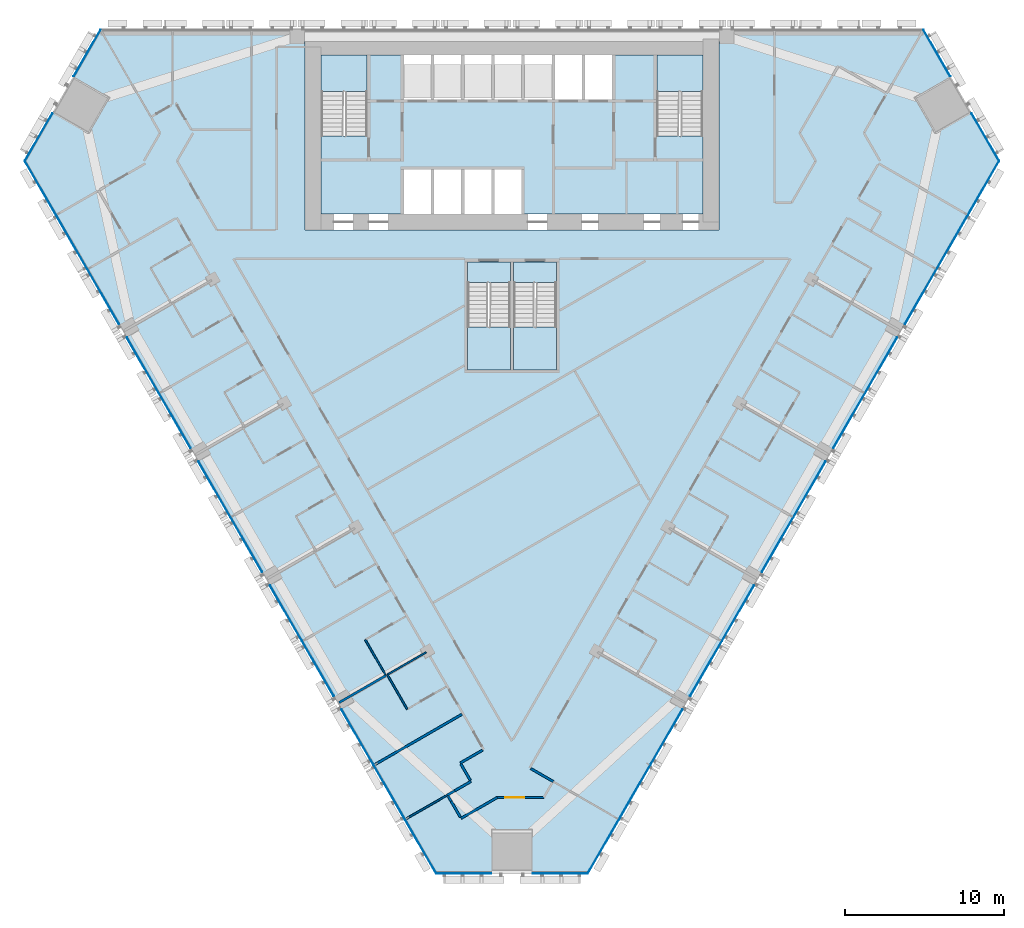
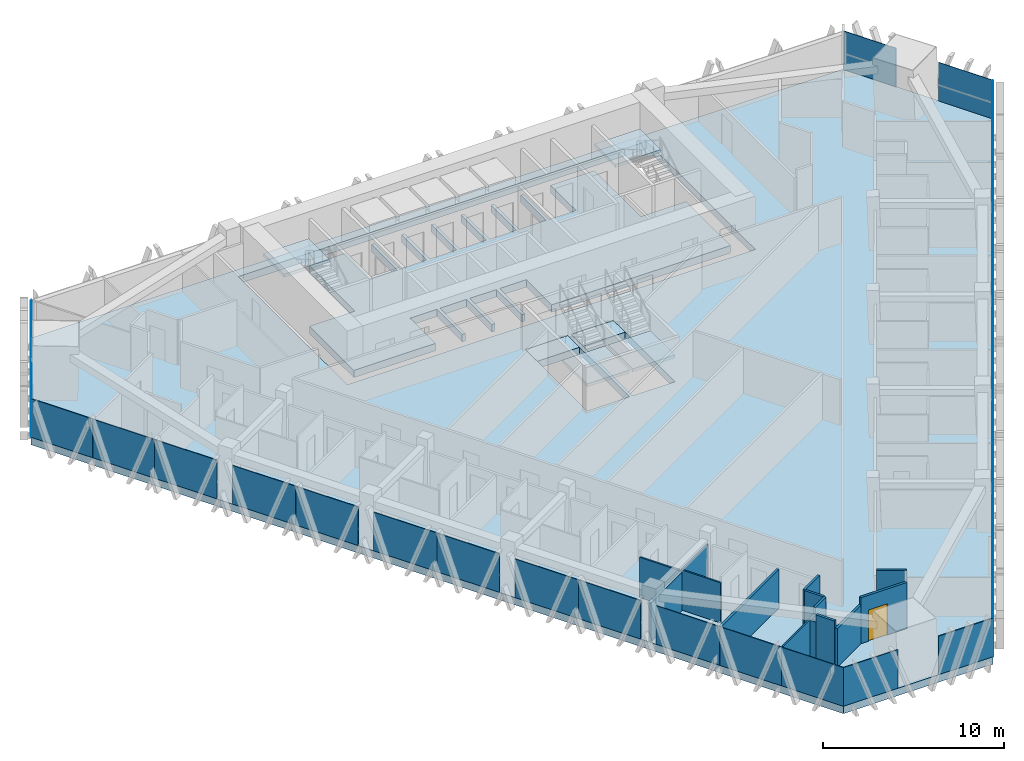
# One storey, part 9 of 18: 30 plates, 15 walls, 8 slabs, 1 door, 1 opening, 9 elements without a shape of their own.
"""IFC4 building model written with IfcOpenShell, lengths in metres."""

from ifc_helpers import new_model, si_unit, direction, frame, frame_2d, origin, origin_2d, place, context, subcontext, project, spatial, polyline, rectangle, outline, extrude, material, layer, layer_set, type_object, element, fill, aggregate, save


model = new_model("IFC4")

# Units and contexts
model_context = context("Model", 3, precision=1e-05, world=origin(), true_north=direction((0.0, 1.0)))
body_context = subcontext(model_context, "Body", "Model", "MODEL_VIEW")
ifc_project = project(units=[si_unit("LENGTHUNIT", "METRE"), si_unit("AREAUNIT", "SQUARE_METRE"), si_unit("VOLUMEUNIT", "CUBIC_METRE"), si_unit("PLANEANGLEUNIT", "RADIAN"), si_unit("MASSUNIT", "GRAM", prefix="KILO")], contexts=[model_context])

# Site, building, storey
site_placement = place(None, origin())
site = spatial("IfcSite", under=ifc_project, at=site_placement, CompositionType="ELEMENT")
building_placement = place(site_placement, origin())
building = spatial("IfcBuilding", under=site, at=building_placement, Name="Altiplano Prism Tower", CompositionType="ELEMENT")
storey_placement = place(building_placement, frame((0.0, 0.0, 48.60009765625)))
storey = spatial("IfcBuildingStorey", under=building, at=storey_placement, Name="L11", CompositionType="ELEMENT", Elevation=48.60009765625)

# Curtain wall, plates
ifc_material_1 = material(Name="Aluminium and glass", Category="aluminium")
ifc_layer_1 = layer(ifc_material_1, 0.280029296875)
ifc_layer_set_1 = layer_set([ifc_layer_1], Name="Aluminium and glass")
curtain_wall_type = type_object("IfcCurtainWallType", Name="CW1 typical co-living unitised curtain wall", PredefinedType="NOTDEFINED", material=ifc_layer_set_1)
curtain_wall_1_placement = place(storey_placement, origin())
curtain_wall_1 = element("IfcCurtainWall", 1, at=curtain_wall_1_placement, inside=storey, type_object=curtain_wall_type, Name="CW1 curtain wall north-west chamfer L11", PredefinedType="NOTDEFINED")
ifc_material_2 = material(Name="Clear glass", Category="glass")
ifc_layer_2 = layer(ifc_material_2, 0.0400390625)
ifc_layer_set_2 = layer_set([ifc_layer_2], Name="Clear glass")
plate_type = type_object("IfcPlateType", Name="CW1 insulated glass unit 40", PredefinedType="CURTAIN_PANEL", material=ifc_layer_set_2)
plate_1_placement = place(storey_placement, frame((58.294921875, 103.5224609375, -0.000244140625), z_axis=(0.0, 0.0, 1.0), x_axis=(-0.499999929806, -0.866025444311, 0.0)))
plate_1 = element("IfcPlate", 2, at=plate_1_placement, type_object=plate_type, Name="CW1 panel", PredefinedType="CURTAIN_PANEL", context=body_context, shape_type="SweptSolid", body=[
    extrude(rectangle(XDim=3.379150390625, YDim=0.0400390625, at=origin_2d()), origin(), (0.0, 0.0, 1.0), 2.60009765625),
])
plate_2_placement = place(storey_placement, frame((55.240478515625, 98.23193359375, -0.000244140625), z_axis=(0.0, 0.0, 1.0), x_axis=(-0.499999929806, -0.866025444311, 0.0)))
plate_2 = element("IfcPlate", 3, at=plate_2_placement, type_object=plate_type, Name="CW1 panel", PredefinedType="CURTAIN_PANEL", context=body_context, shape_type="SweptSolid", body=[
    extrude(rectangle(XDim=3.459228515625, YDim=0.0400390625, at=origin_2d()), origin(), (0.0, 0.0, 1.0), 2.60009765625),
])
aggregate(curtain_wall_1, [plate_1, plate_2])

curtain_wall_2_placement = place(storey_placement, origin())
curtain_wall_2 = element("IfcCurtainWall", 4, at=curtain_wall_2_placement, inside=storey, type_object=curtain_wall_type, Name="CW1 curtain wall south-west face L11", PredefinedType="NOTDEFINED")
plate_3_placement = place(storey_placement, frame((55.357666015625, 95.044677734375, -0.000244140625), z_axis=(0.0, 0.0, 1.0), x_axis=(0.499999989102, -0.866025410076, 0.0)))
plate_3 = element("IfcPlate", 5, at=plate_3_placement, type_object=plate_type, Name="CW1 panel", PredefinedType="CURTAIN_PANEL", context=body_context, shape_type="SweptSolid", body=[
    extrude(rectangle(XDim=3.927490234375, YDim=0.0400390625, at=origin_2d()), origin(), (0.0, 0.0, 1.0), 2.60009765625),
])
plate_4_placement = place(storey_placement, frame((57.326416015625, 91.634765625, -0.000244140625), z_axis=(0.0, 0.0, 1.0), x_axis=(0.499999989102, -0.866025410076, 0.0)))
plate_4 = element("IfcPlate", 6, at=plate_4_placement, type_object=plate_type, Name="CW1 panel", PredefinedType="CURTAIN_PANEL", context=body_context, shape_type="SweptSolid", body=[
    extrude(rectangle(XDim=3.927490234375, YDim=0.0400390625, at=origin_2d()), origin(), (0.0, 0.0, 1.0), 2.60009765625),
])
plate_5_placement = place(storey_placement, frame((59.303466796875, 88.21044921875, -0.000244140625), z_axis=(0.0, 0.0, 1.0), x_axis=(0.499999989102, -0.866025410076, 0.0)))
plate_5 = element("IfcPlate", 7, at=plate_5_placement, type_object=plate_type, Name="CW1 panel", PredefinedType="CURTAIN_PANEL", context=body_context, shape_type="SweptSolid", body=[
    extrude(rectangle(XDim=3.96044921875, YDim=0.0400390625, at=origin_2d()), origin(), (0.0, 0.0, 1.0), 2.60009765625),
])
plate_6_placement = place(storey_placement, frame((61.79833984375, 83.888916015625, -0.000244140625), z_axis=(0.0, 0.0, 1.0), x_axis=(0.499999989102, -0.866025410076, 0.0)))
plate_6 = element("IfcPlate", 8, at=plate_6_placement, type_object=plate_type, Name="CW1 panel", PredefinedType="CURTAIN_PANEL", context=body_context, shape_type="SweptSolid", body=[
    extrude(rectangle(XDim=4.039306640625, YDim=0.0400390625, at=origin_2d()), origin(), (0.0, 0.0, 1.0), 2.60009765625),
])
plate_7_placement = place(storey_placement, frame((63.803466796875, 80.416259765625, -0.000244140625), z_axis=(0.0, 0.0, 1.0), x_axis=(0.499999989102, -0.866025410076, 0.0)))
plate_7 = element("IfcPlate", 9, at=plate_7_placement, type_object=plate_type, Name="CW1 panel", PredefinedType="CURTAIN_PANEL", context=body_context, shape_type="SweptSolid", body=[
    extrude(rectangle(XDim=3.96044921875, YDim=0.0400390625, at=origin_2d()), origin(), (0.0, 0.0, 1.0), 2.60009765625),
])
plate_8_placement = place(storey_placement, frame((66.29833984375, 76.0947265625, -0.000244140625), z_axis=(0.0, 0.0, 1.0), x_axis=(0.499999989102, -0.866025410076, 0.0)))
plate_8 = element("IfcPlate", 10, at=plate_8_placement, type_object=plate_type, Name="CW1 panel", PredefinedType="CURTAIN_PANEL", context=body_context, shape_type="SweptSolid", body=[
    extrude(rectangle(XDim=4.039306640625, YDim=0.0400390625, at=origin_2d()), origin(), (0.0, 0.0, 1.0), 2.60009765625),
])
plate_9_placement = place(storey_placement, frame((68.303466796875, 72.6220703125, -0.000244140625), z_axis=(0.0, 0.0, 1.0), x_axis=(0.499999989102, -0.866025410076, 0.0)))
plate_9 = element("IfcPlate", 11, at=plate_9_placement, type_object=plate_type, Name="CW1 panel", PredefinedType="CURTAIN_PANEL", context=body_context, shape_type="SweptSolid", body=[
    extrude(rectangle(XDim=3.96044921875, YDim=0.0400390625, at=origin_2d()), origin(), (0.0, 0.0, 1.0), 2.60009765625),
])
plate_10_placement = place(storey_placement, frame((70.79833984375, 68.300537109375, -0.000244140625), z_axis=(0.0, 0.0, 1.0), x_axis=(0.499999989102, -0.866025410076, 0.0)))
plate_10 = element("IfcPlate", 12, at=plate_10_placement, type_object=plate_type, Name="CW1 panel", PredefinedType="CURTAIN_PANEL", context=body_context, shape_type="SweptSolid", body=[
    extrude(rectangle(XDim=4.039306640625, YDim=0.0400390625, at=origin_2d()), origin(), (0.0, 0.0, 1.0), 2.60009765625),
])
plate_11_placement = place(storey_placement, frame((72.803466796875, 64.82763671875, -0.000244140625), z_axis=(0.0, 0.0, 1.0), x_axis=(0.499999989102, -0.866025410076, 0.0)))
plate_11 = element("IfcPlate", 13, at=plate_11_placement, type_object=plate_type, Name="CW1 panel", PredefinedType="CURTAIN_PANEL", context=body_context, shape_type="SweptSolid", body=[
    extrude(rectangle(XDim=3.96044921875, YDim=0.0400390625, at=origin_2d()), origin(), (0.0, 0.0, 1.0), 2.60009765625),
])
plate_12_placement = place(storey_placement, frame((75.29833984375, 60.506103515625, -0.000244140625), z_axis=(0.0, 0.0, 1.0), x_axis=(0.499999989102, -0.866025410076, 0.0)))
plate_12 = element("IfcPlate", 14, at=plate_12_placement, type_object=plate_type, Name="CW1 panel", PredefinedType="CURTAIN_PANEL", context=body_context, shape_type="SweptSolid", body=[
    extrude(rectangle(XDim=4.039306640625, YDim=0.0400390625, at=origin_2d()), origin(), (0.0, 0.0, 1.0), 2.60009765625),
])
plate_13_placement = place(storey_placement, frame((77.295166015625, 57.0478515625, -0.000244140625), z_axis=(0.0, 0.0, 1.0), x_axis=(0.499999989102, -0.866025410076, 0.0)))
plate_13 = element("IfcPlate", 15, at=plate_13_placement, type_object=plate_type, Name="CW1 panel", PredefinedType="CURTAIN_PANEL", context=body_context, shape_type="SweptSolid", body=[
    extrude(rectangle(XDim=3.927490234375, YDim=0.0400390625, at=origin_2d()), origin(), (0.0, 0.0, 1.0), 2.60009765625),
])
plate_14_placement = place(storey_placement, frame((79.263916015625, 53.637939453125, -0.000244140625), z_axis=(0.0, 0.0, 1.0), x_axis=(0.499999989102, -0.866025410076, 0.0)))
plate_14 = element("IfcPlate", 16, at=plate_14_placement, type_object=plate_type, Name="CW1 panel", PredefinedType="CURTAIN_PANEL", context=body_context, shape_type="SweptSolid", body=[
    extrude(rectangle(XDim=3.927490234375, YDim=0.0400390625, at=origin_2d()), origin(), (0.0, 0.0, 1.0), 2.60009765625),
])
aggregate(curtain_wall_2, [plate_3, plate_4, plate_5, plate_6, plate_7, plate_8, plate_9, plate_10, plate_11, plate_12, plate_13, plate_14])

curtain_wall_3_placement = place(storey_placement, origin())
curtain_wall_3 = element("IfcCurtainWall", 17, at=curtain_wall_3_placement, inside=storey, type_object=curtain_wall_type, Name="CW1 curtain wall south chamfer L11", PredefinedType="NOTDEFINED")
plate_15_placement = place(storey_placement, frame((81.965576171875, 51.94287109375, -0.000244140625), z_axis=(0.0, 0.0, 1.0), x_axis=(1.0, 0.0, 0.0)))
plate_15 = element("IfcPlate", 18, at=plate_15_placement, type_object=plate_type, Name="CW1 panel", PredefinedType="CURTAIN_PANEL", context=body_context, shape_type="SweptSolid", body=[
    extrude(rectangle(XDim=3.458984375, YDim=0.0400390625, at=origin_2d()), origin(), (0.0, 0.0, 1.0), 2.60009765625),
])
plate_16_placement = place(storey_placement, frame((88.034423828125, 51.94287109375, -0.000244140625), z_axis=(0.0, 0.0, 1.0), x_axis=(1.0, 0.0, 0.0)))
plate_16 = element("IfcPlate", 19, at=plate_16_placement, type_object=plate_type, Name="CW1 panel", PredefinedType="CURTAIN_PANEL", context=body_context, shape_type="SweptSolid", body=[
    extrude(rectangle(XDim=3.458984375, YDim=0.0400390625, at=origin_2d()), origin(), (0.0, 0.0, 1.0), 2.60009765625),
])
aggregate(curtain_wall_3, [plate_15, plate_16])

curtain_wall_4_placement = place(storey_placement, origin())
curtain_wall_4 = element("IfcCurtainWall", 20, at=curtain_wall_4_placement, inside=storey, type_object=curtain_wall_type, Name="CW1 curtain wall south-east face L11", PredefinedType="NOTDEFINED")
plate_17_placement = place(storey_placement, frame((90.736083984375, 53.637939453125, -0.000244140625), z_axis=(0.0, 0.0, 1.0), x_axis=(0.499999989102, 0.866025410076, 0.0)))
plate_17 = element("IfcPlate", 21, at=plate_17_placement, type_object=plate_type, Name="CW1 panel", PredefinedType="CURTAIN_PANEL", context=body_context, shape_type="SweptSolid", body=[
    extrude(rectangle(XDim=3.927490234375, YDim=0.0400390625, at=origin_2d()), origin(), (0.0, 0.0, 1.0), 2.60009765625),
])
plate_18_placement = place(storey_placement, frame((92.704833984375, 57.0478515625, -0.000244140625), z_axis=(0.0, 0.0, 1.0), x_axis=(0.499999989102, 0.866025410076, 0.0)))
plate_18 = element("IfcPlate", 22, at=plate_18_placement, type_object=plate_type, Name="CW1 panel", PredefinedType="CURTAIN_PANEL", context=body_context, shape_type="SweptSolid", body=[
    extrude(rectangle(XDim=3.927490234375, YDim=0.0400390625, at=origin_2d()), origin(), (0.0, 0.0, 1.0), 2.60009765625),
])
plate_19_placement = place(storey_placement, frame((94.70166015625, 60.506103515625, -0.000244140625), z_axis=(0.0, 0.0, 1.0), x_axis=(0.499999989102, 0.866025410076, 0.0)))
plate_19 = element("IfcPlate", 23, at=plate_19_placement, type_object=plate_type, Name="CW1 panel", PredefinedType="CURTAIN_PANEL", context=body_context, shape_type="SweptSolid", body=[
    extrude(rectangle(XDim=4.039306640625, YDim=0.0400390625, at=origin_2d()), origin(), (0.0, 0.0, 1.0), 2.60009765625),
])
plate_20_placement = place(storey_placement, frame((97.196533203125, 64.82763671875, -0.000244140625), z_axis=(0.0, 0.0, 1.0), x_axis=(0.499999989102, 0.866025410076, 0.0)))
plate_20 = element("IfcPlate", 24, at=plate_20_placement, type_object=plate_type, Name="CW1 panel", PredefinedType="CURTAIN_PANEL", context=body_context, shape_type="SweptSolid", body=[
    extrude(rectangle(XDim=3.96044921875, YDim=0.0400390625, at=origin_2d()), origin(), (0.0, 0.0, 1.0), 2.60009765625),
])
plate_21_placement = place(storey_placement, frame((99.20166015625, 68.300537109375, -0.000244140625), z_axis=(0.0, 0.0, 1.0), x_axis=(0.499999989102, 0.866025410076, 0.0)))
plate_21 = element("IfcPlate", 25, at=plate_21_placement, type_object=plate_type, Name="CW1 panel", PredefinedType="CURTAIN_PANEL", context=body_context, shape_type="SweptSolid", body=[
    extrude(rectangle(XDim=4.039306640625, YDim=0.0400390625, at=origin_2d()), origin(), (0.0, 0.0, 1.0), 2.60009765625),
])
plate_22_placement = place(storey_placement, frame((101.696533203125, 72.6220703125, -0.000244140625), z_axis=(0.0, 0.0, 1.0), x_axis=(0.499999989102, 0.866025410076, 0.0)))
plate_22 = element("IfcPlate", 26, at=plate_22_placement, type_object=plate_type, Name="CW1 panel", PredefinedType="CURTAIN_PANEL", context=body_context, shape_type="SweptSolid", body=[
    extrude(rectangle(XDim=3.96044921875, YDim=0.0400390625, at=origin_2d()), origin(), (0.0, 0.0, 1.0), 2.60009765625),
])
plate_23_placement = place(storey_placement, frame((103.70166015625, 76.0947265625, -0.000244140625), z_axis=(0.0, 0.0, 1.0), x_axis=(0.499999989102, 0.866025410076, 0.0)))
plate_23 = element("IfcPlate", 27, at=plate_23_placement, type_object=plate_type, Name="CW1 panel", PredefinedType="CURTAIN_PANEL", context=body_context, shape_type="SweptSolid", body=[
    extrude(rectangle(XDim=4.039306640625, YDim=0.0400390625, at=origin_2d()), origin(), (0.0, 0.0, 1.0), 2.60009765625),
])
plate_24_placement = place(storey_placement, frame((106.196533203125, 80.416259765625, -0.000244140625), z_axis=(0.0, 0.0, 1.0), x_axis=(0.499999989102, 0.866025410076, 0.0)))
plate_24 = element("IfcPlate", 28, at=plate_24_placement, type_object=plate_type, Name="CW1 panel", PredefinedType="CURTAIN_PANEL", context=body_context, shape_type="SweptSolid", body=[
    extrude(rectangle(XDim=3.96044921875, YDim=0.0400390625, at=origin_2d()), origin(), (0.0, 0.0, 1.0), 2.60009765625),
])
plate_25_placement = place(storey_placement, frame((108.20166015625, 83.888916015625, -0.000244140625), z_axis=(0.0, 0.0, 1.0), x_axis=(0.499999989102, 0.866025410076, 0.0)))
plate_25 = element("IfcPlate", 29, at=plate_25_placement, type_object=plate_type, Name="CW1 panel", PredefinedType="CURTAIN_PANEL", context=body_context, shape_type="SweptSolid", body=[
    extrude(rectangle(XDim=4.039306640625, YDim=0.0400390625, at=origin_2d()), origin(), (0.0, 0.0, 1.0), 2.60009765625),
])
plate_26_placement = place(storey_placement, frame((110.696533203125, 88.21044921875, -0.000244140625), z_axis=(0.0, 0.0, 1.0), x_axis=(0.499999989102, 0.866025410076, 0.0)))
plate_26 = element("IfcPlate", 30, at=plate_26_placement, type_object=plate_type, Name="CW1 panel", PredefinedType="CURTAIN_PANEL", context=body_context, shape_type="SweptSolid", body=[
    extrude(rectangle(XDim=3.96044921875, YDim=0.0400390625, at=origin_2d()), origin(), (0.0, 0.0, 1.0), 2.60009765625),
])
plate_27_placement = place(storey_placement, frame((112.673583984375, 91.634765625, -0.000244140625), z_axis=(0.0, 0.0, 1.0), x_axis=(0.499999989102, 0.866025410076, 0.0)))
plate_27 = element("IfcPlate", 31, at=plate_27_placement, type_object=plate_type, Name="CW1 panel", PredefinedType="CURTAIN_PANEL", context=body_context, shape_type="SweptSolid", body=[
    extrude(rectangle(XDim=3.927490234375, YDim=0.0400390625, at=origin_2d()), origin(), (0.0, 0.0, 1.0), 2.60009765625),
])
plate_28_placement = place(storey_placement, frame((114.642333984375, 95.044677734375, -0.000244140625), z_axis=(0.0, 0.0, 1.0), x_axis=(0.499999989102, 0.866025410076, 0.0)))
plate_28 = element("IfcPlate", 32, at=plate_28_placement, type_object=plate_type, Name="CW1 panel", PredefinedType="CURTAIN_PANEL", context=body_context, shape_type="SweptSolid", body=[
    extrude(rectangle(XDim=3.927490234375, YDim=0.0400390625, at=origin_2d()), origin(), (0.0, 0.0, 1.0), 2.60009765625),
])
aggregate(curtain_wall_4, [plate_17, plate_18, plate_19, plate_20, plate_21, plate_22, plate_23, plate_24, plate_25, plate_26, plate_27, plate_28])

curtain_wall_5_placement = place(storey_placement, origin())
curtain_wall_5 = element("IfcCurtainWall", 33, at=curtain_wall_5_placement, inside=storey, type_object=curtain_wall_type, Name="CW1 curtain wall north-east chamfer L11", PredefinedType="NOTDEFINED")
plate_29_placement = place(storey_placement, frame((114.759521484375, 98.23193359375, -0.000244140625), z_axis=(0.0, 0.0, 1.0), x_axis=(-0.499999929806, 0.866025444311, 0.0)))
plate_29 = element("IfcPlate", 34, at=plate_29_placement, type_object=plate_type, Name="CW1 panel", PredefinedType="CURTAIN_PANEL", context=body_context, shape_type="SweptSolid", body=[
    extrude(rectangle(XDim=3.459228515625, YDim=0.0400390625, at=origin_2d()), origin(), (0.0, 0.0, 1.0), 2.60009765625),
])
plate_30_placement = place(storey_placement, frame((111.705078125, 103.5224609375, -0.000244140625), z_axis=(0.0, 0.0, 1.0), x_axis=(-0.499999929806, 0.866025444311, 0.0)))
plate_30 = element("IfcPlate", 35, at=plate_30_placement, type_object=plate_type, Name="CW1 panel", PredefinedType="CURTAIN_PANEL", context=body_context, shape_type="SweptSolid", body=[
    extrude(rectangle(XDim=3.379150390625, YDim=0.0400390625, at=origin_2d()), origin(), (0.0, 0.0, 1.0), 2.60009765625),
])
aggregate(curtain_wall_5, [plate_29, plate_30])

# Slabs
ifc_material_3 = material(Name="Concrete C40/50", Category="concrete")
ifc_layer_3 = layer(ifc_material_3, 0.5)
ifc_layer_set_3 = layer_set([ifc_layer_3], Name="Concrete C40/50")
slab_type_1 = type_object("IfcSlabType", Name="Core floor slab 500", PredefinedType="FLOOR", material=ifc_layer_set_3)
slab_1_placement = place(storey_placement, frame((0.0, 0.0, -0.5)))
element("IfcSlab", 36, at=slab_1_placement, inside=storey, type_object=slab_type_1, Name="Core floor slab L11", PredefinedType="FLOOR", context=body_context, shape_type="SweptSolid", body=[
    extrude(outline(polyline([(97.0, 98.31005859375), (94.10009765625, 98.31005859375), (94.10009765625, 103.39990234375), (91.300048828125, 103.39990234375), (91.300048828125, 100.60009765625), (89.60009765625, 100.60009765625), (89.60009765625, 103.39990234375), (89.39990234375, 103.39990234375), (89.39990234375, 100.60009765625), (87.699951171875, 100.60009765625), (87.699951171875, 103.39990234375), (87.5, 103.39990234375), (87.5, 100.60009765625), (85.800048828125, 100.60009765625), (85.800048828125, 103.39990234375), (85.60009765625, 103.39990234375), (85.60009765625, 100.60009765625), (83.89990234375, 100.60009765625), (83.89990234375, 103.39990234375), (83.699951171875, 103.39990234375), (83.699951171875, 100.60009765625), (82.0, 100.60009765625), (82.0, 103.39990234375), (81.800048828125, 103.39990234375), (81.800048828125, 100.60009765625), (80.10009765625, 100.60009765625), (80.10009765625, 103.39990234375), (79.89990234375, 103.39990234375), (79.89990234375, 100.60009765625), (78.199951171875, 100.60009765625), (78.199951171875, 103.39990234375), (75.89990234375, 103.39990234375), (75.89990234375, 98.31005859375), (73.0, 98.31005859375), (73.0, 93.39990234375), (78.199951171875, 93.39990234375), (78.199951171875, 96.199951171875), (79.89990234375, 96.199951171875), (79.89990234375, 93.39990234375), (80.10009765625, 93.39990234375), (80.10009765625, 96.199951171875), (81.800048828125, 96.199951171875), (81.800048828125, 93.39990234375), (82.0, 93.39990234375), (82.0, 96.199951171875), (83.699951171875, 96.199951171875), (83.699951171875, 93.39990234375), (83.89990234375, 93.39990234375), (83.89990234375, 96.199951171875), (85.60009765625, 96.199951171875), (85.60009765625, 93.39990234375), (97.0, 93.39990234375), (97.0, 98.31005859375)])), origin(), (0.0, 0.0, 1.0), 0.5),
])
slab_2_placement = place(storey_placement, frame((0.0, 0.0, -0.5)))
element("IfcSlab", 37, at=slab_2_placement, inside=storey, type_object=slab_type_1, Name="Stair 3A landing slab L11", PredefinedType="FLOOR", context=body_context, shape_type="SweptSolid", body=[
    extrude(outline(polyline([(82.199951171875, 89.096923828125), (84.89990234375, 89.096923828125), (84.89990234375, 90.39990234375), (82.199951171875, 90.39990234375), (82.199951171875, 89.096923828125)])), origin(), (0.0, 0.0, 1.0), 0.5),
])
slab_3_placement = place(storey_placement, frame((0.0, 0.0, -0.5)))
element("IfcSlab", 38, at=slab_3_placement, inside=storey, type_object=slab_type_1, Name="Stair 3B landing slab L11", PredefinedType="FLOOR", context=body_context, shape_type="SweptSolid", body=[
    extrude(outline(polyline([(85.10009765625, 89.096923828125), (87.800048828125, 89.096923828125), (87.800048828125, 90.39990234375), (85.10009765625, 90.39990234375), (85.10009765625, 89.096923828125)])), origin(), (0.0, 0.0, 1.0), 0.5),
])
ifc_layer_4 = layer(ifc_material_3, 0.5)
ifc_layer_set_4 = layer_set([ifc_layer_4], Name="Concrete C40/50")
slab_type_2 = type_object("IfcSlabType", Name="Post-tensioned flat slab 500", PredefinedType="FLOOR", material=ifc_layer_set_4)
slab_4_placement = place(storey_placement, frame((0.0, 0.0, -0.5)))
element("IfcSlab", 39, at=slab_4_placement, inside=storey, type_object=slab_type_2, Name="Floor slab L11", PredefinedType="FLOOR", context=body_context, shape_type="SweptSolid", body=[
    extrude(outline(polyline([(80.23095703125, 51.9228515625), (54.35595703125, 96.73974609375), (59.125, 105.0), (110.875, 105.0), (115.64404296875, 96.73974609375), (89.76904296875, 51.9228515625), (80.23095703125, 51.9228515625)]), holes=[polyline([(72.0, 104.39990234375), (72.0, 92.39990234375), (98.0, 92.39990234375), (98.0, 104.39990234375), (72.0, 104.39990234375)]), polyline([(84.89990234375, 90.39990234375), (82.199951171875, 90.39990234375), (82.199951171875, 83.60009765625), (84.89990234375, 83.60009765625), (84.89990234375, 90.39990234375)]), polyline([(87.800048828125, 83.60009765625), (87.800048828125, 90.39990234375), (85.10009765625, 90.39990234375), (85.10009765625, 83.60009765625), (87.800048828125, 83.60009765625)])]), origin(), (0.0, 0.0, 1.0), 0.5),
])

# Stair, slab
stair_type_1 = type_object("IfcStairType", Name="Exit stair 1400", PredefinedType="HALF_TURN_STAIR", material=ifc_material_3)
stair_1_placement = place(storey_placement, origin())
stair_1 = element("IfcStair", 40, at=stair_1_placement, inside=storey, type_object=stair_type_1, Name="L11 Exit Stair 1", PredefinedType="HALF_TURN_STAIR")
ifc_layer_5 = layer(ifc_material_3, 0.199951171875)
ifc_layer_set_5 = layer_set([ifc_layer_5], Name="Concrete C40/50")
slab_type_3 = type_object("IfcSlabType", Name="Stair landing 200", PredefinedType="LANDING", material=ifc_layer_set_5)
slab_5_placement = place(storey_placement, frame((0.0, 0.0, 1.599853515625)))
slab_5 = element("IfcSlab", 41, at=slab_5_placement, type_object=slab_type_3, Name="ST1 landing 1", PredefinedType="LANDING", context=body_context, shape_type="SweptSolid", body=[
    extrude(outline(polyline([(75.89990234375, 101.096923828125), (75.89990234375, 103.39990234375), (73.0, 103.39990234375), (73.0, 101.096923828125), (75.89990234375, 101.096923828125)])), origin(), (0.0, 0.0, 1.0), 0.199951171875),
])
aggregate(stair_1, [slab_5])

stair_2_placement = place(storey_placement, origin())
stair_2 = element("IfcStair", 42, at=stair_2_placement, inside=storey, type_object=stair_type_1, Name="L11 Exit Stair 2", PredefinedType="HALF_TURN_STAIR")
slab_6_placement = place(storey_placement, frame((0.0, 0.0, 1.599853515625)))
slab_6 = element("IfcSlab", 43, at=slab_6_placement, type_object=slab_type_3, Name="ST2 landing 1", PredefinedType="LANDING", context=body_context, shape_type="SweptSolid", body=[
    extrude(outline(polyline([(97.0, 101.096923828125), (97.0, 103.39990234375), (94.10009765625, 103.39990234375), (94.10009765625, 101.096923828125), (97.0, 101.096923828125)])), origin(), (0.0, 0.0, 1.0), 0.199951171875),
])
aggregate(stair_2, [slab_6])

stair_type_2 = type_object("IfcStairType", Name="Exit stair 1300", PredefinedType="HALF_TURN_STAIR", material=ifc_material_3)
stair_3_placement = place(storey_placement, origin())
stair_3 = element("IfcStair", 44, at=stair_3_placement, inside=storey, type_object=stair_type_2, Name="L11 Exit Stair 3A", PredefinedType="HALF_TURN_STAIR")
slab_7_placement = place(storey_placement, frame((0.0, 0.0, 1.599853515625)))
slab_7 = element("IfcSlab", 45, at=slab_7_placement, type_object=slab_type_3, Name="ST3A landing 1", PredefinedType="LANDING", context=body_context, shape_type="SweptSolid", body=[
    extrude(outline(polyline([(82.199951171875, 86.302978515625), (82.199951171875, 83.60009765625), (84.89990234375, 83.60009765625), (84.89990234375, 86.302978515625), (82.199951171875, 86.302978515625)])), origin(), (0.0, 0.0, 1.0), 0.199951171875),
])
aggregate(stair_3, [slab_7])

stair_4_placement = place(storey_placement, origin())
stair_4 = element("IfcStair", 46, at=stair_4_placement, inside=storey, type_object=stair_type_2, Name="L11 Exit Stair 3B", PredefinedType="HALF_TURN_STAIR")
slab_8_placement = place(storey_placement, frame((0.0, 0.0, 1.599853515625)))
slab_8 = element("IfcSlab", 47, at=slab_8_placement, type_object=slab_type_3, Name="ST3B landing 1", PredefinedType="LANDING", context=body_context, shape_type="SweptSolid", body=[
    extrude(outline(polyline([(85.10009765625, 86.302978515625), (85.10009765625, 83.60009765625), (87.800048828125, 83.60009765625), (87.800048828125, 86.302978515625), (85.10009765625, 86.302978515625)])), origin(), (0.0, 0.0, 1.0), 0.199951171875),
])
aggregate(stair_4, [slab_8])

# Walls
ifc_material_4 = material(Name="Plasterboard on steel stud", Category="steel")
ifc_layer_6 = layer(ifc_material_4, 0.10009765625)
ifc_layer_set_6 = layer_set([ifc_layer_6], Name="Plasterboard on steel stud")
wall_type_1 = type_object("IfcWallType", Name="Partition 100 unit", PredefinedType="PARTITIONING", material=ifc_layer_set_6)
wall_1_placement = place(storey_placement, frame((77.037109375, 64.454833984375, 0.0), z_axis=(0.0, 0.0, 1.0), x_axis=(-0.500048846702, 0.865997200291, 0.0)))
element("IfcWall", 48, at=wall_1_placement, inside=storey, type_object=wall_type_1, Name="Partition P02 L11 072", PredefinedType="PARTITIONING", context=body_context, shape_type="SweptSolid", body=[
    extrude(rectangle(XDim=2.525146484375, YDim=0.10009765625, at=frame_2d((1.2626953125, 0.0))), origin(), (0.0, 0.0, 1.0), 2.699951171875),
])
wall_2_placement = place(storey_placement, frame((78.4111328125, 62.27490234375, 0.0), z_axis=(0.0, 0.0, 1.0), x_axis=(-0.500004234368, 0.866022959057, 0.0)))
element("IfcWall", 49, at=wall_2_placement, inside=storey, type_object=wall_type_1, Name="Partition P02 L11 077", PredefinedType="PARTITIONING", context=body_context, shape_type="SweptSolid", body=[
    extrude(rectangle(XDim=2.5, YDim=0.10009765625, at=frame_2d((1.25, 0.0))), origin(), (0.0, 0.0, 1.0), 2.699951171875),
])
ifc_layer_7 = layer(ifc_material_4, 0.10009765625)
ifc_layer_set_7 = layer_set([ifc_layer_7], Name="Plasterboard on steel stud")
wall_type_2 = type_object("IfcWallType", Name="Partition 100 wet", PredefinedType="PARTITIONING", material=ifc_layer_set_7)
wall_3_placement = place(storey_placement, frame((77.1611328125, 64.43994140625, 0.0), z_axis=(0.0, 0.0, 1.0), x_axis=(0.866011447264, 0.500024172624, 0.0)))
element("IfcWall", 50, at=wall_3_placement, inside=storey, type_object=wall_type_2, Name="Partition P03 L11 075", PredefinedType="PARTITIONING", context=body_context, shape_type="SweptSolid", body=[
    extrude(rectangle(XDim=2.824951171875, YDim=0.10009765625, at=frame_2d((1.41259765625, 0.0))), origin(), (0.0, 0.0, 1.0), 2.699951171875),
])
wall_4_placement = place(storey_placement, frame((78.331298828125, 55.372802734375, 0.0), z_axis=(0.0, 0.0, 1.0), x_axis=(0.866030774596, 0.499990697366, 0.0)))
element("IfcWall", 51, at=wall_4_placement, inside=storey, type_object=wall_type_2, Name="Partition P03 L11 079", PredefinedType="PARTITIONING", context=body_context, shape_type="SweptSolid", body=[
    extrude(rectangle(XDim=3.02001953125, YDim=0.10009765625, at=frame_2d((1.510009765625, 0.0))), origin(), (0.0, 0.0, 1.0), 2.599853515625),
])
ifc_layer_8 = layer(ifc_material_4, 0.14990234375)
ifc_layer_set_8 = layer_set([ifc_layer_8], Name="Plasterboard on steel stud")
wall_type_3 = type_object("IfcWallType", Name="Partition 150 corridor", PredefinedType="PARTITIONING", material=ifc_layer_set_8)
wall_5_placement = place(storey_placement, frame((83.15771484375, 59.70361328125, 0.0), z_axis=(0.0, 0.0, 1.0), x_axis=(-0.866053003207, -0.499952193351, 0.0)))
element("IfcWall", 52, at=wall_5_placement, inside=storey, type_object=wall_type_3, Name="Partition P06 L11 016", PredefinedType="PARTITIONING", context=body_context, shape_type="SweptSolid", body=[
    extrude(rectangle(XDim=1.625244140625, YDim=0.14990234375, at=frame_2d((0.8125, 0.0))), origin(), (0.0, 0.0, 1.0), 3.099853515625),
])
wall_6_placement = place(storey_placement, frame((81.787841796875, 58.826171875, 0.0), z_axis=(0.0, 0.0, 1.0), x_axis=(0.500030943131, -0.866007538022, 0.0)))
element("IfcWall", 53, at=wall_6_placement, inside=storey, type_object=wall_type_3, Name="Partition P06 L11 017", PredefinedType="PARTITIONING", context=body_context, shape_type="SweptSolid", body=[
    extrude(rectangle(XDim=1.1875, YDim=0.14990234375, at=frame_2d((0.59375, 0.0))), origin(), (0.0, 0.0, 1.0), 3.099853515625),
])
wall_7_placement = place(storey_placement, frame((82.419189453125, 57.73291015625, 0.0), z_axis=(0.0, 0.0, 1.0), x_axis=(-0.866053660865, -0.499951054106, 0.0)))
element("IfcWall", 54, at=wall_7_placement, inside=storey, type_object=wall_type_3, Name="Partition P06 L11 018", PredefinedType="PARTITIONING", context=body_context, shape_type="SweptSolid", body=[
    extrude(rectangle(XDim=1.1708984375, YDim=0.14990234375, at=frame_2d((0.58544921875, 0.0))), origin(), (0.0, 0.0, 1.0), 3.099853515625),
])
wall_8_placement = place(storey_placement, frame((81.405029296875, 57.1474609375, 0.0), z_axis=(0.0, 0.0, 1.0), x_axis=(-0.865963477364, -0.500107244371, 0.0)))
element("IfcWall", 55, at=wall_8_placement, inside=storey, type_object=wall_type_3, Name="Partition P06 L11 019", PredefinedType="PARTITIONING", context=body_context, shape_type="SweptSolid", body=[
    extrude(rectangle(XDim=0.54931640625, YDim=0.14990234375, at=frame_2d((0.274658203125, 0.0))), origin(), (0.0, 0.0, 1.0), 2.599853515625),
])
wall_9_placement = place(storey_placement, frame((80.984375, 56.81787109375, 0.0), z_axis=(0.0, 0.0, 1.0), x_axis=(0.500212318761, -0.865902786784, 0.0)))
element("IfcWall", 56, at=wall_9_placement, inside=storey, type_object=wall_type_3, Name="Partition P06 L11 020", PredefinedType="PARTITIONING", context=body_context, shape_type="SweptSolid", body=[
    extrude(rectangle(XDim=0.373779296875, YDim=0.14990234375, at=frame_2d((0.18701171875, 0.0))), origin(), (0.0, 0.0, 1.0), 2.599853515625),
])
wall_10_placement = place(storey_placement, frame((81.17138671875, 56.494140625, 0.0), z_axis=(0.0, 0.0, 1.0), x_axis=(0.499890179513, -0.866088799389, 0.0)))
element("IfcWall", 57, at=wall_10_placement, inside=storey, type_object=wall_type_3, Name="Partition P06 L11 021", PredefinedType="PARTITIONING", context=body_context, shape_type="SweptSolid", body=[
    extrude(rectangle(XDim=1.176025390625, YDim=0.14990234375, at=frame_2d((0.587890625, 0.0))), origin(), (0.0, 0.0, 1.0), 3.099853515625),
])
wall_11_placement = place(storey_placement, frame((81.796875, 55.41064453125, 0.0), z_axis=(0.0, 0.0, 1.0), x_axis=(0.866030680601, 0.499990860175, 0.0)))
element("IfcWall", 58, at=wall_11_placement, inside=storey, type_object=wall_type_3, Name="Partition P06 L11 022", PredefinedType="PARTITIONING", context=body_context, shape_type="SweptSolid", body=[
    extrude(rectangle(XDim=2.62451171875, YDim=0.14990234375, at=frame_2d((1.312255859375, 0.0))), origin(), (0.0, 0.0, 1.0), 2.599853515625),
])

# Wall, opening, door
wall_12_placement = place(storey_placement, frame((84.06982421875, 56.722900390625, 0.0), z_axis=(0.0, 0.0, 1.0), x_axis=(1.0, 0.0, 0.0)))
wall_12 = element("IfcWall", 59, at=wall_12_placement, inside=storey, type_object=wall_type_3, Name="Partition P06 L11 023", PredefinedType="PARTITIONING", context=body_context, shape_type="SweptSolid", body=[
    extrude(rectangle(XDim=2.927978515625, YDim=0.14990234375, at=frame_2d((1.4638671875, 0.0))), origin(), (0.0, 0.0, 1.0), 3.099853515625),
])
opening_placement = place(wall_12_placement, frame((0.492919921875, 0.0, 0.0)))
opening = element("IfcOpeningElement", 60, at=opening_placement, cuts=wall_12, Name="Opening D0445", PredefinedType="OPENING", context=body_context, shape_type="SweptSolid", body=[
    extrude(rectangle(XDim=1.199951171875, YDim=2.10009765625, at=frame_2d((0.60009765625, 1.050048828125))), frame((0.0, 0.08544921875, 0.0), z_axis=(0.0, -1.0, 0.0), x_axis=(1.0, 0.0, 0.0)), (0.0, 0.0, 1.0), 0.1708984375),
])
ifc_material_5 = material(Name="Timber", Category="wood")
door_type = type_object("IfcDoorType", Name="Shared room door 1200 x 2100", OperationType="NOTDEFINED", PredefinedType="NOTDEFINED", material=ifc_material_5)
door_placement = place(opening_placement, origin())
door = element("IfcDoor", 61, at=door_placement, inside=storey, type_object=door_type, Name="Door D0445", OperationType="SINGLE_SWING_LEFT", OverallHeight=2.10009765625, OverallWidth=1.199951171875, PredefinedType="NOTDEFINED", context=body_context, shape_type="SweptSolid", body=[
    extrude(rectangle(XDim=1.199951171875, YDim=2.10009765625, at=frame_2d((0.60009765625, 1.050048828125))), frame((0.0, 0.02490234375, 0.0), z_axis=(0.0, -1.0, 0.0), x_axis=(1.0, 0.0, 0.0)), (0.0, 0.0, 1.0), 0.050048828125),
])
fill(opening, door)

# Walls
wall_13_placement = place(storey_placement, frame((87.59814453125, 57.722900390625, 0.0), z_axis=(0.0, 0.0, 1.0), x_axis=(-0.866015045157, 0.50001794124, 0.0)))
element("IfcWall", 62, at=wall_13_placement, inside=storey, type_object=wall_type_3, Name="Partition P06 L11 025", PredefinedType="PARTITIONING", context=body_context, shape_type="SweptSolid", body=[
    extrude(rectangle(XDim=1.64501953125, YDim=0.14990234375, at=frame_2d((0.822509765625, 0.0))), origin(), (0.0, 0.0, 1.0), 3.099853515625),
])
ifc_layer_9 = layer(ifc_material_4, 0.14990234375)
ifc_layer_set_9 = layer_set([ifc_layer_9], Name="Plasterboard on steel stud")
wall_type_4 = type_object("IfcWallType", Name="Partition 150 party", PredefinedType="PARTITIONING", material=ifc_layer_set_9)
wall_14_placement = place(storey_placement, frame((74.130126953125, 62.68994140625, 0.0), z_axis=(0.0, 0.0, 1.0), x_axis=(0.866020337685, 0.500008774639, 0.0)))
element("IfcWall", 63, at=wall_14_placement, inside=storey, type_object=wall_type_4, Name="Partition P01 L11 074", PredefinedType="PARTITIONING", context=body_context, shape_type="SweptSolid", body=[
    extrude(rectangle(XDim=3.419921875, YDim=0.14990234375, at=frame_2d((1.7099609375, 0.0))), origin(), (0.0, 0.0, 1.0), 2.599853515625),
])
wall_15_placement = place(storey_placement, frame((76.362548828125, 58.78271484375, 0.0), z_axis=(0.0, 0.0, 1.0), x_axis=(0.866025401434, 0.500000004071, 0.0)))
element("IfcWall", 64, at=wall_15_placement, inside=storey, type_object=wall_type_4, Name="Partition P01 L11 078", PredefinedType="PARTITIONING", context=body_context, shape_type="SweptSolid", body=[
    extrude(rectangle(XDim=6.34521484375, YDim=0.14990234375, at=frame_2d((3.172607421875, 0.0))), origin(), (0.0, 0.0, 1.0), 2.599853515625),
])

save(model, "model.ifc")
